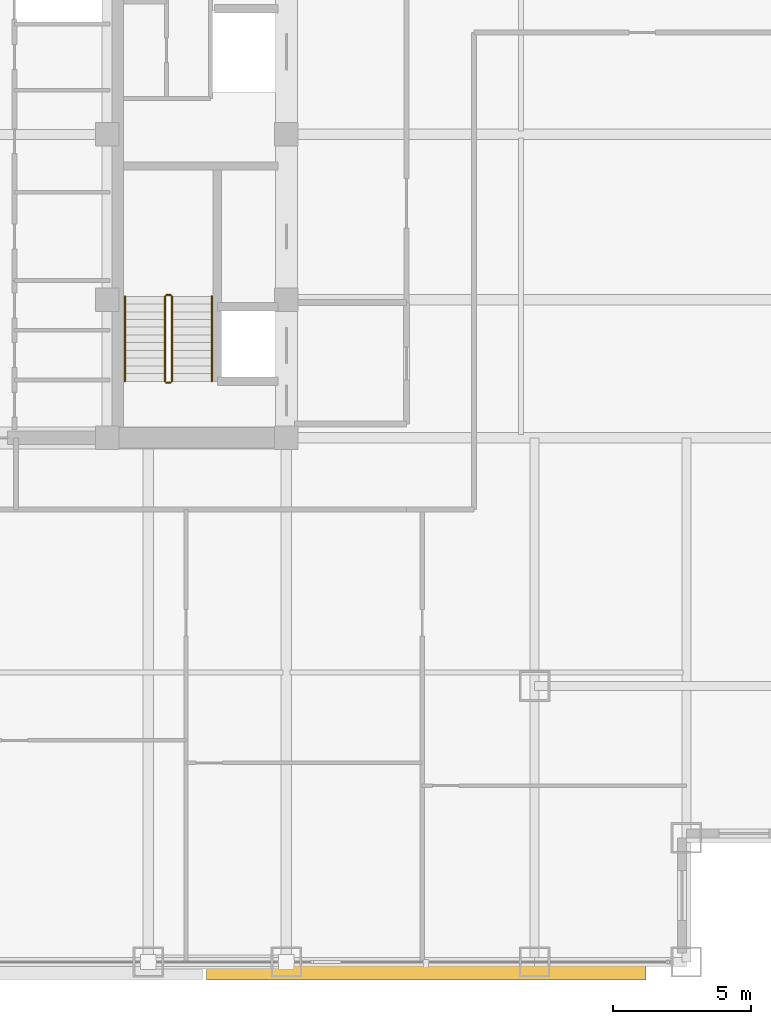
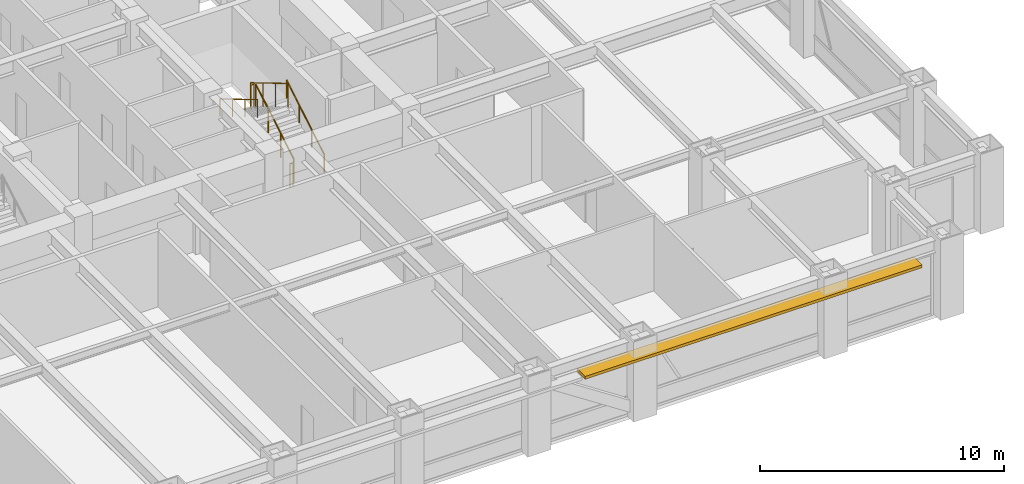
# One storey, part 26 of 28: 6 railings, 1 shading device.
"""IFC4 building model written with IfcOpenShell, lengths in metres."""

from ifc_helpers import new_model, si_unit, direction, frame, origin, origin_2d, place, context, subcontext, project, spatial, rectangle, circle, extrude, source, transform, mapped, material, layer, layer_set, type_object, element, save


model = new_model("IFC4")

# Units and contexts
model_context = context("Model", 3, precision=1e-05, world=origin(), true_north=direction((0.0, 1.0)))
body_context = subcontext(model_context, "Body", "Model", "MODEL_VIEW")
ifc_project = project(units=[si_unit("LENGTHUNIT", "METRE"), si_unit("AREAUNIT", "SQUARE_METRE"), si_unit("VOLUMEUNIT", "CUBIC_METRE"), si_unit("PLANEANGLEUNIT", "RADIAN"), si_unit("MASSUNIT", "GRAM", prefix="KILO")], contexts=[model_context])

# Site, building, storey
site_placement = place(None, origin())
site = spatial("IfcSite", under=ifc_project, at=site_placement, CompositionType="ELEMENT")
building_placement = place(site_placement, origin())
building = spatial("IfcBuilding", under=site, at=building_placement, Name="Khorayat Bourse Tower", CompositionType="ELEMENT")
storey_placement = place(building_placement, frame((0.0, 0.0, 187.10009765625)))
storey = spatial("IfcBuildingStorey", under=building, at=storey_placement, Name="L43", CompositionType="ELEMENT", Elevation=187.10009765625)

# Shading device
ifc_material_1 = material(Name="Precast concrete C45/55", Category="concrete")
ifc_layer = layer(ifc_material_1, 0.139892578125)
ifc_layer_set = layer_set([ifc_layer], Name="Precast concrete C45/55")
shading_device_type = type_object("IfcShadingDeviceType", Name="SHD-WAVE-TRAY-A", PredefinedType="USERDEFINED", material=ifc_layer_set)
shared_shape_1 = source(origin(), body_context, "Body", "SweptSolid", [
    extrude(rectangle(XDim=15.9267578125, YDim=0.67138671875, at=origin_2d()), origin(), (0.0, 0.0, 1.0), 0.139892578125),
])
shading_device_placement = place(storey_placement, frame((16.066650390625, -30.31591796875, 3.02978515625), z_axis=(0.0, 0.0, 1.0), x_axis=(1.0, 0.0, 0.0)))
element("IfcShadingDevice", 1, at=shading_device_placement, inside=storey, type_object=shading_device_type, Name="L43 Sinusoidal Wave Sunshade Tray S-3", ObjectType="SUNSHADE", PredefinedType="USERDEFINED", context=body_context, shape_type="MappedRepresentation", body=[
    mapped(shared_shape_1, transform((0.0, 0.0, 0.0), scale=1.0)),
])

# Railings
ifc_material_2 = material(Name="Powder-coated steel balustrade", Category="steel")
railing_type_1 = type_object("IfcRailingType", Name="RLG-GUARD-1200", PredefinedType="GUARDRAIL", material=ifc_material_2)
shared_shape_2 = source(origin(), body_context, "Body", "SweptSolid", [
    extrude(circle(Radius=0.02392578125, at=origin_2d()), frame((0.0, 0.0, 1.17578125), z_axis=(-1.0, 0.0, 0.0), x_axis=(0.0, -1.0, 0.0)), (0.0, 0.0, 1.0), 0.150146484375),
    extrude(circle(Radius=0.02099609375, at=origin_2d()), origin(), (0.0, 0.0, 1.0), 1.15185546875),
    extrude(circle(Radius=0.02099609375, at=origin_2d()), frame((-0.150146484375, 0.0, 0.0)), (0.0, 0.0, 1.0), 1.15185546875),
])
for number, where, name in (
    (2, (6.800048828125, -5.820068359375, 2.0), "L43 ST-3 stair guard 2"),
    (3, (6.800048828125, -9.0, 0.0), "L43 ST-3 stair guard 4"),
):
    element("IfcRailing", number, at=place(storey_placement, frame(where)), inside=storey, type_object=railing_type_1, Name=name, PredefinedType="GUARDRAIL", context=body_context, shape_type="MappedRepresentation", body=[
        mapped(shared_shape_2, transform((0.0, 0.0, 0.0), scale=1.0)),
    ])
shared_shape_3 = source(origin(), body_context, "Body", "SweptSolid", [
    extrude(circle(Radius=0.02392578125, at=origin_2d()), frame((0.0, 0.0, 1.17578125), z_axis=(0.0, 0.859260807169, 0.511537745687), x_axis=(-1.0, 0.0, 0.0)), (0.0, 0.0, 1.0), 3.584228515625),
    extrude(circle(Radius=0.02099609375, at=origin_2d()), origin(), (0.0, 0.0, 1.0), 1.15185546875),
    extrude(circle(Radius=0.02099609375, at=origin_2d()), frame((0.0, 1.026611328125, 0.611083984375)), (0.0, 0.0, 1.0), 1.15185546875),
    extrude(circle(Radius=0.02099609375, at=origin_2d()), frame((0.0, 2.05322265625, 1.222412109375)), (0.0, 0.0, 1.0), 1.15185546875),
    extrude(circle(Radius=0.02099609375, at=origin_2d()), frame((0.0, 3.079833984375, 1.83349609375)), (0.0, 0.0, 1.0), 1.15185546875),
])
railing_1_placement = place(storey_placement, frame((6.85009765625, -8.949951171875, 0.16650390625)))
element("IfcRailing", 4, at=railing_1_placement, inside=storey, type_object=railing_type_1, Name="L43 ST-3 stair guard 1", PredefinedType="GUARDRAIL", context=body_context, shape_type="MappedRepresentation", body=[
    mapped(shared_shape_3, transform((0.0, 0.0, 0.0), scale=1.0)),
])
shared_shape_4 = source(origin(), body_context, "Body", "SweptSolid", [
    extrude(circle(Radius=0.02392578125, at=origin_2d()), frame((0.0, 0.0, 1.17578125), z_axis=(0.0, -0.859260807169, 0.511537745687), x_axis=(1.0, 0.0, 0.0)), (0.0, 0.0, 1.0), 3.584228515625),
    extrude(circle(Radius=0.02099609375, at=origin_2d()), origin(), (0.0, 0.0, 1.0), 1.15185546875),
    extrude(circle(Radius=0.02099609375, at=origin_2d()), frame((0.0, -1.026611328125, 0.611083984375)), (0.0, 0.0, 1.0), 1.15185546875),
    extrude(circle(Radius=0.02099609375, at=origin_2d()), frame((0.0, -2.05322265625, 1.222412109375)), (0.0, 0.0, 1.0), 1.15185546875),
    extrude(circle(Radius=0.02099609375, at=origin_2d()), frame((0.0, -3.079833984375, 1.83349609375)), (0.0, 0.0, 1.0), 1.15185546875),
])
railing_2_placement = place(storey_placement, frame((6.60009765625, -5.8701171875, 2.16650390625)))
element("IfcRailing", 5, at=railing_2_placement, inside=storey, type_object=railing_type_1, Name="L43 ST-3 stair guard 3", PredefinedType="GUARDRAIL", context=body_context, shape_type="MappedRepresentation", body=[
    mapped(shared_shape_4, transform((0.0, 0.0, 0.0), scale=1.0)),
])
ifc_material_3 = material(Name="Brushed bronze stainless-steel handrail", Category="steel")
railing_type_2 = type_object("IfcRailingType", Name="RLG-HAND-900", PredefinedType="HANDRAIL", material=ifc_material_3)
shared_shape_5 = source(origin(), body_context, "Body", "SweptSolid", [
    extrude(circle(Radius=0.02392578125, at=origin_2d()), frame((0.0, 0.0, 0.8759765625), z_axis=(0.0, 0.859260807169, 0.511537745687), x_axis=(-1.0, 0.0, 0.0)), (0.0, 0.0, 1.0), 3.584228515625),
    extrude(circle(Radius=0.02099609375, at=origin_2d()), origin(), (0.0, 0.0, 1.0), 0.851806640625),
    extrude(circle(Radius=0.02099609375, at=origin_2d()), frame((0.0, 1.026611328125, 0.611083984375)), (0.0, 0.0, 1.0), 0.851806640625),
    extrude(circle(Radius=0.02099609375, at=origin_2d()), frame((0.0, 2.05322265625, 1.222412109375)), (0.0, 0.0, 1.0), 0.851806640625),
    extrude(circle(Radius=0.02099609375, at=origin_2d()), frame((0.0, 3.079833984375, 1.83349609375)), (0.0, 0.0, 1.0), 0.851806640625),
])
railing_3_placement = place(storey_placement, frame((8.300048828125, -8.949951171875, 0.16650390625)))
element("IfcRailing", 6, at=railing_3_placement, inside=storey, type_object=railing_type_2, Name="L43 ST-3 stair handrail 1", PredefinedType="HANDRAIL", context=body_context, shape_type="MappedRepresentation", body=[
    mapped(shared_shape_5, transform((0.0, 0.0, 0.0), scale=1.0)),
])
shared_shape_6 = source(origin(), body_context, "Body", "SweptSolid", [
    extrude(circle(Radius=0.02392578125, at=origin_2d()), frame((0.0, 0.0, 0.8759765625), z_axis=(0.0, -0.859260807169, 0.511537745687), x_axis=(1.0, 0.0, 0.0)), (0.0, 0.0, 1.0), 3.584228515625),
    extrude(circle(Radius=0.02099609375, at=origin_2d()), origin(), (0.0, 0.0, 1.0), 0.851806640625),
    extrude(circle(Radius=0.02099609375, at=origin_2d()), frame((0.0, -1.026611328125, 0.611083984375)), (0.0, 0.0, 1.0), 0.851806640625),
    extrude(circle(Radius=0.02099609375, at=origin_2d()), frame((0.0, -2.05322265625, 1.222412109375)), (0.0, 0.0, 1.0), 0.851806640625),
    extrude(circle(Radius=0.02099609375, at=origin_2d()), frame((0.0, -3.079833984375, 1.83349609375)), (0.0, 0.0, 1.0), 0.851806640625),
])
railing_4_placement = place(storey_placement, frame((5.14990234375, -5.8701171875, 2.16650390625)))
element("IfcRailing", 7, at=railing_4_placement, inside=storey, type_object=railing_type_2, Name="L43 ST-3 stair handrail 2", PredefinedType="HANDRAIL", context=body_context, shape_type="MappedRepresentation", body=[
    mapped(shared_shape_6, transform((0.0, 0.0, 0.0), scale=1.0)),
])

save(model, "model.ifc")
